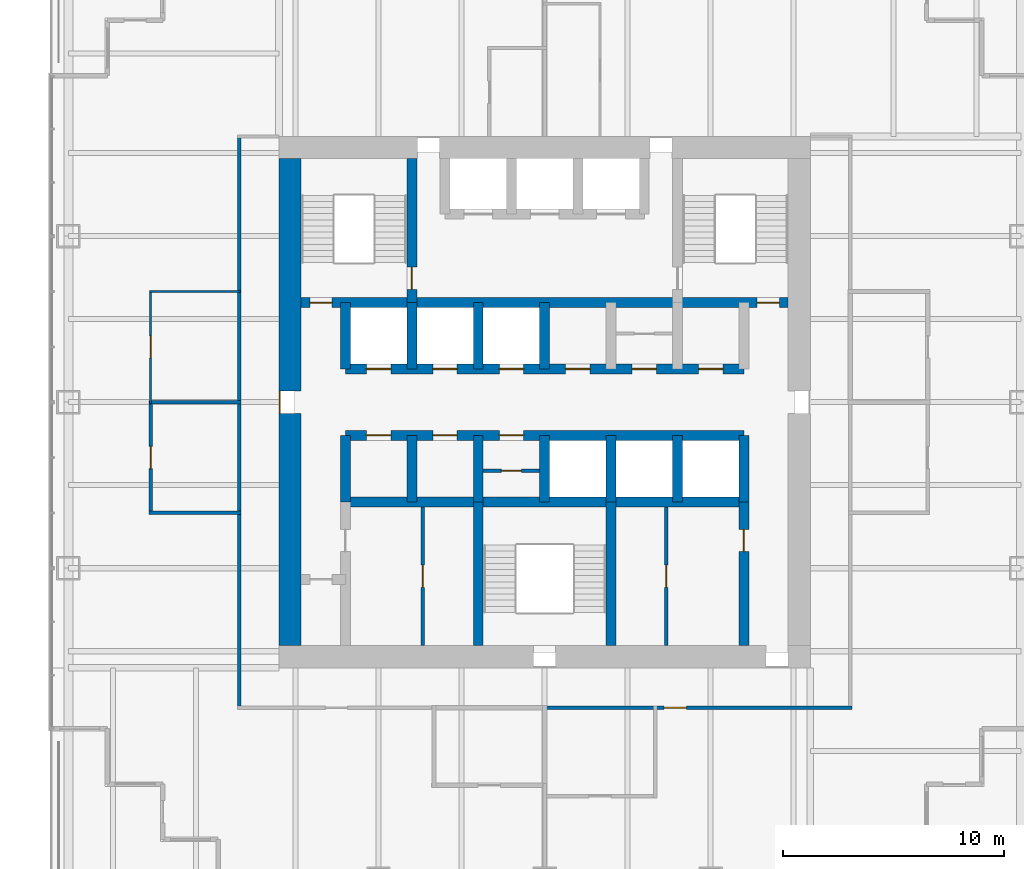
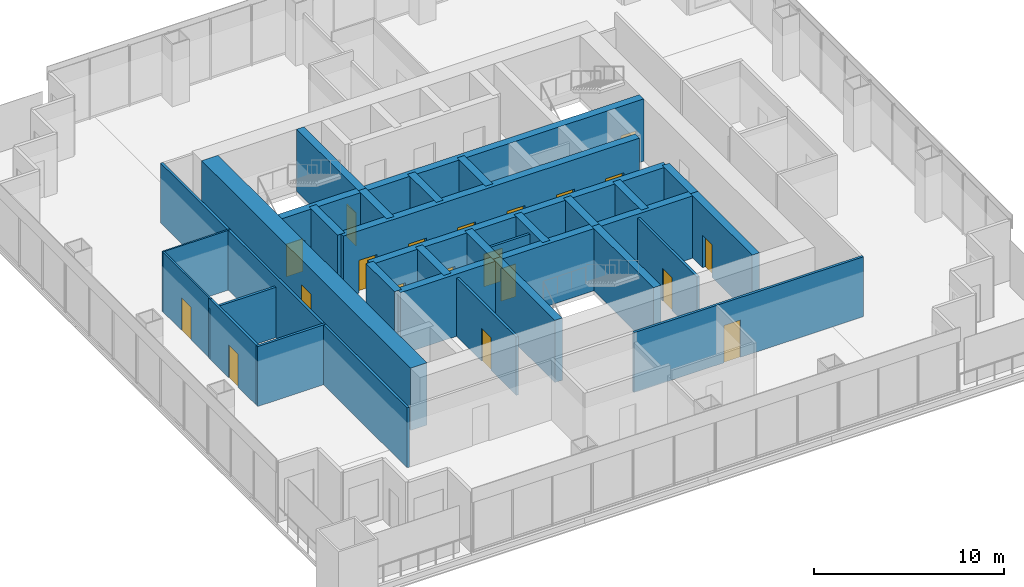
# One storey, part 9 of 13: 30 walls, 20 doors, 20 openings.
"""IFC4 building model written with IfcOpenShell, lengths in metres."""

from ifc_helpers import new_model, si_unit, direction, frame, frame_2d, origin, place, context, subcontext, project, spatial, rectangle, extrude, material, layer, layer_set, type_object, element, fill, save


model = new_model("IFC4")

# Units and contexts
model_context = context("Model", 3, precision=1e-05, world=origin(), true_north=direction((0.0, 1.0)))
body_context = subcontext(model_context, "Body", "Model", "MODEL_VIEW")
ifc_project = project(units=[si_unit("LENGTHUNIT", "METRE"), si_unit("AREAUNIT", "SQUARE_METRE"), si_unit("VOLUMEUNIT", "CUBIC_METRE"), si_unit("PLANEANGLEUNIT", "RADIAN"), si_unit("MASSUNIT", "GRAM", prefix="KILO")], contexts=[model_context])

# Site, building, storey
site_placement = place(None, origin())
site = spatial("IfcSite", under=ifc_project, at=site_placement, CompositionType="ELEMENT")
building_placement = place(site_placement, origin())
building = spatial("IfcBuilding", under=site, at=building_placement, Name="Tarangal Relay Tower", CompositionType="ELEMENT")
storey_placement = place(building_placement, frame((0.0, 0.0, 217.89990234375)))
storey = spatial("IfcBuildingStorey", under=building, at=storey_placement, Name="L46", CompositionType="ELEMENT", Elevation=217.89990234375)

# Wall, openings, doors
ifc_material_1 = material(Name="Concrete fc' 60 MPa", Category="concrete")
ifc_layer_1 = layer(ifc_material_1, 0.449951171875)
ifc_layer_set_1 = layer_set([ifc_layer_1], Name="Core inner wall 450")
wall_type_1 = type_object("IfcWallType", Name="Core inner wall 450", PredefinedType="SHEAR", material=ifc_layer_set_1)
wall_1_placement = place(storey_placement, frame((-11.0, 4.5, 0.0), z_axis=(0.0, 0.0, 1.0), x_axis=(1.0, 0.0, 0.0)))
wall_1 = element("IfcWall", 1, at=wall_1_placement, inside=storey, type_object=wall_type_1, Name="Core wall Y45 L46", PredefinedType="SHEAR", context=body_context, shape_type="SweptSolid", body=[
    extrude(rectangle(XDim=22.0, YDim=0.449951171875, at=frame_2d((11.0, 0.0))), origin(), (0.0, 0.0, 1.0), 4.0),
])
opening_1_placement = place(wall_1_placement, frame((0.39990234375, 0.0, 0.0)))
opening_1 = element("IfcOpeningElement", 2, at=opening_1_placement, cuts=wall_1, Name="Opening FD1", PredefinedType="OPENING", context=body_context, shape_type="SweptSolid", body=[
    extrude(rectangle(XDim=1.0, YDim=2.10009765625, at=frame_2d((0.5, 1.050048828125))), frame((0.0, 0.23486328125, 0.0), z_axis=(0.0, -1.0, 0.0), x_axis=(1.0, 0.0, 0.0)), (0.0, 0.0, 1.0), 0.469970703125),
])
opening_2_placement = place(wall_1_placement, frame((20.60009765625, 0.0, 0.0)))
opening_2 = element("IfcOpeningElement", 3, at=opening_2_placement, cuts=wall_1, Name="Opening FD1", PredefinedType="OPENING", context=body_context, shape_type="SweptSolid", body=[
    extrude(rectangle(XDim=1.0, YDim=2.10009765625, at=frame_2d((0.5, 1.050048828125))), frame((0.0, 0.23486328125, 0.0), z_axis=(0.0, -1.0, 0.0), x_axis=(1.0, 0.0, 0.0)), (0.0, 0.0, 1.0), 0.469970703125),
])
ifc_material_2 = material(Name="Steel door with hardwood frame", Category="steel")
door_type_1 = type_object("IfcDoorType", Name="Fire door 1000 x 2100", OperationType="SINGLE_SWING_LEFT", PredefinedType="DOOR", material=ifc_material_2)
door_1_placement = place(opening_1_placement, origin())
door_1 = element("IfcDoor", 4, at=door_1_placement, inside=storey, type_object=door_type_1, Name="Stair ST-A door from corridor L46", OperationType="SINGLE_SWING_LEFT", OverallHeight=2.10009765625, OverallWidth=1.0, PredefinedType="DOOR", context=body_context, shape_type="SweptSolid", body=[
    extrude(rectangle(XDim=1.0, YDim=2.10009765625, at=frame_2d((0.5, 1.050048828125))), frame((0.0, 0.02490234375, 0.0), z_axis=(0.0, -1.0, 0.0), x_axis=(1.0, 0.0, 0.0)), (0.0, 0.0, 1.0), 0.050048828125),
])
fill(opening_1, door_1)
door_2_placement = place(opening_2_placement, origin())
door_2 = element("IfcDoor", 5, at=door_2_placement, inside=storey, type_object=door_type_1, Name="Stair ST-B door from corridor L46", OperationType="SINGLE_SWING_LEFT", OverallHeight=2.10009765625, OverallWidth=1.0, PredefinedType="DOOR", context=body_context, shape_type="SweptSolid", body=[
    extrude(rectangle(XDim=1.0, YDim=2.10009765625, at=frame_2d((0.5, 1.050048828125))), frame((0.0, 0.02490234375, 0.0), z_axis=(0.0, -1.0, 0.0), x_axis=(1.0, 0.0, 0.0)), (0.0, 0.0, 1.0), 0.050048828125),
])
fill(opening_2, door_2)

wall_2_placement = place(storey_placement, frame((-9.0, 1.5, 0.0), z_axis=(0.0, 0.0, 1.0), x_axis=(1.0, 0.0, 0.0)))
wall_2 = element("IfcWall", 6, at=wall_2_placement, inside=storey, type_object=wall_type_1, Name="Core wall Y15 L46", PredefinedType="SHEAR", context=body_context, shape_type="SweptSolid", body=[
    extrude(rectangle(XDim=18.0, YDim=0.449951171875, at=frame_2d((9.0, 0.0))), origin(), (0.0, 0.0, 1.0), 4.0),
])
opening_3_placement = place(wall_2_placement, frame((0.949951171875, 0.0, 0.0)))
opening_3 = element("IfcOpeningElement", 7, at=opening_3_placement, cuts=wall_2, Name="Opening LD1", PredefinedType="OPENING", context=body_context, shape_type="SweptSolid", body=[
    extrude(rectangle(XDim=1.10009765625, YDim=2.10009765625, at=frame_2d((0.550048828125, 1.050048828125))), frame((0.0, 0.23486328125, 0.0), z_axis=(0.0, -1.0, 0.0), x_axis=(1.0, 0.0, 0.0)), (0.0, 0.0, 1.0), 0.469970703125),
])
opening_4_placement = place(wall_2_placement, frame((3.949951171875, 0.0, 0.0)))
opening_4 = element("IfcOpeningElement", 8, at=opening_4_placement, cuts=wall_2, Name="Opening LD1", PredefinedType="OPENING", context=body_context, shape_type="SweptSolid", body=[
    extrude(rectangle(XDim=1.10009765625, YDim=2.10009765625, at=frame_2d((0.550048828125, 1.050048828125))), frame((0.0, 0.23486328125, 0.0), z_axis=(0.0, -1.0, 0.0), x_axis=(1.0, 0.0, 0.0)), (0.0, 0.0, 1.0), 0.469970703125),
])
opening_5_placement = place(wall_2_placement, frame((6.949951171875, 0.0, 0.0)))
opening_5 = element("IfcOpeningElement", 9, at=opening_5_placement, cuts=wall_2, Name="Opening LD1", PredefinedType="OPENING", context=body_context, shape_type="SweptSolid", body=[
    extrude(rectangle(XDim=1.10009765625, YDim=2.10009765625, at=frame_2d((0.550048828125, 1.050048828125))), frame((0.0, 0.23486328125, 0.0), z_axis=(0.0, -1.0, 0.0), x_axis=(1.0, 0.0, 0.0)), (0.0, 0.0, 1.0), 0.469970703125),
])
opening_6_placement = place(wall_2_placement, frame((9.949951171875, 0.0, 0.0)))
opening_6 = element("IfcOpeningElement", 10, at=opening_6_placement, cuts=wall_2, Name="Opening D4", PredefinedType="OPENING", context=body_context, shape_type="SweptSolid", body=[
    extrude(rectangle(XDim=1.10009765625, YDim=2.10009765625, at=frame_2d((0.550048828125, 1.050048828125))), frame((0.0, 0.23486328125, 0.0), z_axis=(0.0, -1.0, 0.0), x_axis=(1.0, 0.0, 0.0)), (0.0, 0.0, 1.0), 0.469970703125),
])
opening_7_placement = place(wall_2_placement, frame((12.949951171875, 0.0, 0.0)))
opening_7 = element("IfcOpeningElement", 11, at=opening_7_placement, cuts=wall_2, Name="Opening D4", PredefinedType="OPENING", context=body_context, shape_type="SweptSolid", body=[
    extrude(rectangle(XDim=1.10009765625, YDim=2.10009765625, at=frame_2d((0.550048828125, 1.050048828125))), frame((0.0, 0.23486328125, 0.0), z_axis=(0.0, -1.0, 0.0), x_axis=(1.0, 0.0, 0.0)), (0.0, 0.0, 1.0), 0.469970703125),
])
opening_8_placement = place(wall_2_placement, frame((15.949951171875, 0.0, 0.0)))
opening_8 = element("IfcOpeningElement", 12, at=opening_8_placement, cuts=wall_2, Name="Opening D4", PredefinedType="OPENING", context=body_context, shape_type="SweptSolid", body=[
    extrude(rectangle(XDim=1.10009765625, YDim=2.10009765625, at=frame_2d((0.550048828125, 1.050048828125))), frame((0.0, 0.23486328125, 0.0), z_axis=(0.0, -1.0, 0.0), x_axis=(1.0, 0.0, 0.0)), (0.0, 0.0, 1.0), 0.469970703125),
])
door_type_2 = type_object("IfcDoorType", Name="Core room door 1100 x 2100", OperationType="SINGLE_SWING_RIGHT", PredefinedType="DOOR", material=ifc_material_2)
door_3_placement = place(opening_6_placement, origin())
door_3 = element("IfcDoor", 13, at=door_3_placement, inside=storey, type_object=door_type_2, Name="Door D4 to staff wc L46-T1", OperationType="SINGLE_SWING_RIGHT", OverallHeight=2.10009765625, OverallWidth=1.10009765625, PredefinedType="DOOR", context=body_context, shape_type="SweptSolid", body=[
    extrude(rectangle(XDim=1.10009765625, YDim=2.10009765625, at=frame_2d((0.550048828125, 1.050048828125))), frame((0.0, 0.02490234375, 0.0), z_axis=(0.0, -1.0, 0.0), x_axis=(1.0, 0.0, 0.0)), (0.0, 0.0, 1.0), 0.050048828125),
])
fill(opening_6, door_3)
door_4_placement = place(opening_7_placement, origin())
door_4 = element("IfcDoor", 14, at=door_4_placement, inside=storey, type_object=door_type_2, Name="Door D4 to staff pantry L46-T2", OperationType="SINGLE_SWING_RIGHT", OverallHeight=2.10009765625, OverallWidth=1.10009765625, PredefinedType="DOOR", context=body_context, shape_type="SweptSolid", body=[
    extrude(rectangle(XDim=1.10009765625, YDim=2.10009765625, at=frame_2d((0.550048828125, 1.050048828125))), frame((0.0, 0.02490234375, 0.0), z_axis=(0.0, -1.0, 0.0), x_axis=(1.0, 0.0, 0.0)), (0.0, 0.0, 1.0), 0.050048828125),
])
fill(opening_7, door_4)
door_5_placement = place(opening_8_placement, origin())
door_5 = element("IfcDoor", 15, at=door_5_placement, inside=storey, type_object=door_type_2, Name="Door D4 to it room L46-T3", OperationType="SINGLE_SWING_RIGHT", OverallHeight=2.10009765625, OverallWidth=1.10009765625, PredefinedType="DOOR", context=body_context, shape_type="SweptSolid", body=[
    extrude(rectangle(XDim=1.10009765625, YDim=2.10009765625, at=frame_2d((0.550048828125, 1.050048828125))), frame((0.0, 0.02490234375, 0.0), z_axis=(0.0, -1.0, 0.0), x_axis=(1.0, 0.0, 0.0)), (0.0, 0.0, 1.0), 0.050048828125),
])
fill(opening_8, door_5)
door_type_3 = type_object("IfcDoorType", Name="Lift landing door 1100 x 2100", OperationType="SLIDING_TO_LEFT", PredefinedType="DOOR", material=ifc_material_2)
door_6_placement = place(opening_3_placement, origin())
door_6 = element("IfcDoor", 16, at=door_6_placement, inside=storey, type_object=door_type_3, Name="Lift OL1 landing door L46", OperationType="SLIDING_TO_LEFT", OverallHeight=2.10009765625, OverallWidth=1.10009765625, PredefinedType="DOOR", context=body_context, shape_type="SweptSolid", body=[
    extrude(rectangle(XDim=1.10009765625, YDim=2.10009765625, at=frame_2d((0.550048828125, 1.050048828125))), frame((0.0, 0.02490234375, 0.0), z_axis=(0.0, -1.0, 0.0), x_axis=(1.0, 0.0, 0.0)), (0.0, 0.0, 1.0), 0.050048828125),
])
fill(opening_3, door_6)
door_7_placement = place(opening_4_placement, origin())
door_7 = element("IfcDoor", 17, at=door_7_placement, inside=storey, type_object=door_type_3, Name="Lift OL2 landing door L46", OperationType="SLIDING_TO_LEFT", OverallHeight=2.10009765625, OverallWidth=1.10009765625, PredefinedType="DOOR", context=body_context, shape_type="SweptSolid", body=[
    extrude(rectangle(XDim=1.10009765625, YDim=2.10009765625, at=frame_2d((0.550048828125, 1.050048828125))), frame((0.0, 0.02490234375, 0.0), z_axis=(0.0, -1.0, 0.0), x_axis=(1.0, 0.0, 0.0)), (0.0, 0.0, 1.0), 0.050048828125),
])
fill(opening_4, door_7)
door_8_placement = place(opening_5_placement, origin())
door_8 = element("IfcDoor", 18, at=door_8_placement, inside=storey, type_object=door_type_3, Name="Lift OL3 landing door L46", OperationType="SLIDING_TO_LEFT", OverallHeight=2.10009765625, OverallWidth=1.10009765625, PredefinedType="DOOR", context=body_context, shape_type="SweptSolid", body=[
    extrude(rectangle(XDim=1.10009765625, YDim=2.10009765625, at=frame_2d((0.550048828125, 1.050048828125))), frame((0.0, 0.02490234375, 0.0), z_axis=(0.0, -1.0, 0.0), x_axis=(1.0, 0.0, 0.0)), (0.0, 0.0, 1.0), 0.050048828125),
])
fill(opening_5, door_8)

wall_3_placement = place(storey_placement, frame((-9.0, -1.5, 0.0), z_axis=(0.0, 0.0, 1.0), x_axis=(1.0, 0.0, 0.0)))
wall_3 = element("IfcWall", 19, at=wall_3_placement, inside=storey, type_object=wall_type_1, Name="Core wall YM15 L46", PredefinedType="SHEAR", context=body_context, shape_type="SweptSolid", body=[
    extrude(rectangle(XDim=18.0, YDim=0.449951171875, at=frame_2d((9.0, 0.0))), origin(), (0.0, 0.0, 1.0), 4.0),
])
opening_9_placement = place(wall_3_placement, frame((0.949951171875, 0.0, 0.0)))
opening_9 = element("IfcOpeningElement", 20, at=opening_9_placement, cuts=wall_3, Name="Opening D4", PredefinedType="OPENING", context=body_context, shape_type="SweptSolid", body=[
    extrude(rectangle(XDim=1.10009765625, YDim=2.10009765625, at=frame_2d((0.550048828125, 1.050048828125))), frame((0.0, 0.23486328125, 0.0), z_axis=(0.0, -1.0, 0.0), x_axis=(1.0, 0.0, 0.0)), (0.0, 0.0, 1.0), 0.469970703125),
])
opening_10_placement = place(wall_3_placement, frame((3.949951171875, 0.0, 0.0)))
opening_10 = element("IfcOpeningElement", 21, at=opening_10_placement, cuts=wall_3, Name="Opening D4", PredefinedType="OPENING", context=body_context, shape_type="SweptSolid", body=[
    extrude(rectangle(XDim=1.10009765625, YDim=2.10009765625, at=frame_2d((0.550048828125, 1.050048828125))), frame((0.0, 0.23486328125, 0.0), z_axis=(0.0, -1.0, 0.0), x_axis=(1.0, 0.0, 0.0)), (0.0, 0.0, 1.0), 0.469970703125),
])
opening_11_placement = place(wall_3_placement, frame((6.949951171875, 0.0, 0.0)))
opening_11 = element("IfcOpeningElement", 22, at=opening_11_placement, cuts=wall_3, Name="Opening D4", PredefinedType="OPENING", context=body_context, shape_type="SweptSolid", body=[
    extrude(rectangle(XDim=1.10009765625, YDim=2.10009765625, at=frame_2d((0.550048828125, 1.050048828125))), frame((0.0, 0.23486328125, 0.0), z_axis=(0.0, -1.0, 0.0), x_axis=(1.0, 0.0, 0.0)), (0.0, 0.0, 1.0), 0.469970703125),
])
door_9_placement = place(opening_9_placement, origin())
door_9 = element("IfcDoor", 23, at=door_9_placement, inside=storey, type_object=door_type_2, Name="Door D4 to cleaner's store L46-S1", OperationType="SINGLE_SWING_RIGHT", OverallHeight=2.10009765625, OverallWidth=1.10009765625, PredefinedType="DOOR", context=body_context, shape_type="SweptSolid", body=[
    extrude(rectangle(XDim=1.10009765625, YDim=2.10009765625, at=frame_2d((0.550048828125, 1.050048828125))), frame((0.0, 0.02490234375, 0.0), z_axis=(0.0, -1.0, 0.0), x_axis=(1.0, 0.0, 0.0)), (0.0, 0.0, 1.0), 0.050048828125),
])
fill(opening_9, door_9)
door_10_placement = place(opening_10_placement, origin())
door_10 = element("IfcDoor", 24, at=door_10_placement, inside=storey, type_object=door_type_2, Name="Door D4 to staff wc L46-S2", OperationType="SINGLE_SWING_RIGHT", OverallHeight=2.10009765625, OverallWidth=1.10009765625, PredefinedType="DOOR", context=body_context, shape_type="SweptSolid", body=[
    extrude(rectangle(XDim=1.10009765625, YDim=2.10009765625, at=frame_2d((0.550048828125, 1.050048828125))), frame((0.0, 0.02490234375, 0.0), z_axis=(0.0, -1.0, 0.0), x_axis=(1.0, 0.0, 0.0)), (0.0, 0.0, 1.0), 0.050048828125),
])
fill(opening_10, door_10)
door_11_placement = place(opening_11_placement, origin())
door_11 = element("IfcDoor", 25, at=door_11_placement, inside=storey, type_object=door_type_2, Name="Door D4 to staff pantry L46-S3", OperationType="SINGLE_SWING_RIGHT", OverallHeight=2.10009765625, OverallWidth=1.10009765625, PredefinedType="DOOR", context=body_context, shape_type="SweptSolid", body=[
    extrude(rectangle(XDim=1.10009765625, YDim=2.10009765625, at=frame_2d((0.550048828125, 1.050048828125))), frame((0.0, 0.02490234375, 0.0), z_axis=(0.0, -1.0, 0.0), x_axis=(1.0, 0.0, 0.0)), (0.0, 0.0, 1.0), 0.050048828125),
])
fill(opening_11, door_11)

# Walls
wall_4_placement = place(storey_placement, frame((-9.0, -4.5, 0.0), z_axis=(0.0, 0.0, 1.0), x_axis=(1.0, 0.0, 0.0)))
element("IfcWall", 26, at=wall_4_placement, inside=storey, type_object=wall_type_1, Name="Core wall YM45 L46", PredefinedType="SHEAR", context=body_context, shape_type="SweptSolid", body=[
    extrude(rectangle(XDim=18.0, YDim=0.449951171875, at=frame_2d((9.0, 0.0))), origin(), (0.0, 0.0, 1.0), 4.0),
])
for number, where, z_axis, x_axis, name in (
    (27, (-9.0, 1.5, 0.0), (0.0, 0.0, 1.0), (0.0, 1.0, 0.0), "Core wall XM9N L46"),
    (28, (-9.0, -4.5, 0.0), (0.0, 0.0, 1.0), (0.0, 1.0, 0.0), "Core wall XM9S L46"),
    (29, (9.0, -4.5, 0.0), (0.0, 0.0, 1.0), (0.0, 1.0, 0.0), "Core wall X9S L46"),
    (30, (-6.0, 1.5, 0.0), (0.0, 0.0, 1.0), (0.0, 1.0, 0.0), "Core wall XM6N L46"),
    (31, (-3.0, 1.5, 0.0), (0.0, 0.0, 1.0), (0.0, 1.0, 0.0), "Core wall XM3N L46"),
    (32, (0.0, 1.5, 0.0), (0.0, 0.0, 1.0), (0.0, 1.0, 0.0), "Core wall X0N L46"),
    (33, (-6.0, -4.5, 0.0), (0.0, 0.0, 1.0), (0.0, 1.0, 0.0), "Core wall XM6S L46"),
    (34, (-3.0, -4.5, 0.0), (0.0, 0.0, 1.0), (0.0, 1.0, 0.0), "Core wall XM3S L46"),
    (35, (0.0, -4.5, 0.0), (0.0, 0.0, 1.0), (0.0, 1.0, 0.0), "Core wall X0S L46"),
    (36, (3.0, -4.5, 0.0), (0.0, 0.0, 1.0), (0.0, 1.0, 0.0), "Core wall X3S L46"),
    (37, (6.0, -4.5, 0.0), (0.0, 0.0, 1.0), (0.0, 1.0, 0.0), "Core wall X6S L46"),
):
    element("IfcWall", number, at=place(storey_placement, frame(where, z_axis=z_axis, x_axis=x_axis)), inside=storey, type_object=wall_type_1, Name=name, PredefinedType="SHEAR", context=body_context, shape_type="SweptSolid", body=[
        extrude(rectangle(XDim=3.0, YDim=0.449951171875, at=frame_2d((1.5, 0.0))), origin(), (0.0, 0.0, 1.0), 4.0),
    ])

# Wall, opening, door
wall_5_placement = place(storey_placement, frame((-6.0, 4.5, 0.0), z_axis=(0.0, 0.0, 1.0), x_axis=(0.0, 1.0, 0.0)))
wall_5 = element("IfcWall", 38, at=wall_5_placement, inside=storey, type_object=wall_type_1, Name="Core wall XM6 L46", PredefinedType="SHEAR", context=body_context, shape_type="SweptSolid", body=[
    extrude(rectangle(XDim=6.5, YDim=0.449951171875, at=frame_2d((3.25, 0.0))), origin(), (0.0, 0.0, 1.0), 4.0),
])
opening_12_placement = place(wall_5_placement, frame((0.60009765625, 0.0, 0.0)))
opening_12 = element("IfcOpeningElement", 39, at=opening_12_placement, cuts=wall_5, Name="Opening FD1", PredefinedType="OPENING", context=body_context, shape_type="SweptSolid", body=[
    extrude(rectangle(XDim=1.0, YDim=2.10009765625, at=frame_2d((0.5, 1.050048828125))), frame((0.0, 0.23486328125, 0.0), z_axis=(0.0, -1.0, 0.0), x_axis=(1.0, 0.0, 0.0)), (0.0, 0.0, 1.0), 0.469970703125),
])
door_12_placement = place(opening_12_placement, origin())
door_12 = element("IfcDoor", 40, at=door_12_placement, inside=storey, type_object=door_type_1, Name="Stair ST-A door from fire-fighting lobby L46", OperationType="SINGLE_SWING_LEFT", OverallHeight=2.10009765625, OverallWidth=1.0, PredefinedType="DOOR", context=body_context, shape_type="SweptSolid", body=[
    extrude(rectangle(XDim=1.0, YDim=2.10009765625, at=frame_2d((0.5, 1.050048828125))), frame((0.0, 0.02490234375, 0.0), z_axis=(0.0, -1.0, 0.0), x_axis=(1.0, 0.0, 0.0)), (0.0, 0.0, 1.0), 0.050048828125),
])
fill(opening_12, door_12)

wall_6_placement = place(storey_placement, frame((9.0, -11.0, 0.0), z_axis=(0.0, 0.0, 1.0), x_axis=(0.0, 1.0, 0.0)))
wall_6 = element("IfcWall", 41, at=wall_6_placement, inside=storey, type_object=wall_type_1, Name="Core wall X9W L46", PredefinedType="SHEAR", context=body_context, shape_type="SweptSolid", body=[
    extrude(rectangle(XDim=6.5, YDim=0.449951171875, at=frame_2d((3.25, 0.0))), origin(), (0.0, 0.0, 1.0), 4.0),
])
opening_13_placement = place(wall_6_placement, frame((4.25, 0.0, 0.0)))
opening_13 = element("IfcOpeningElement", 42, at=opening_13_placement, cuts=wall_6, Name="Opening D1", PredefinedType="OPENING", context=body_context, shape_type="SweptSolid", body=[
    extrude(rectangle(XDim=1.0, YDim=2.10009765625, at=frame_2d((0.5, 1.050048828125))), frame((0.0, 0.23486328125, 0.0), z_axis=(0.0, -1.0, 0.0), x_axis=(1.0, 0.0, 0.0)), (0.0, 0.0, 1.0), 0.469970703125),
])
ifc_material_3 = material(Name="Hardwood door", Category="wood")
door_type_4 = type_object("IfcDoorType", Name="WC door 1000 x 2100", OperationType="SINGLE_SWING_LEFT", PredefinedType="DOOR", material=ifc_material_3)
door_13_placement = place(opening_13_placement, origin())
door_13 = element("IfcDoor", 43, at=door_13_placement, inside=storey, type_object=door_type_4, Name="Female WC door L46", OperationType="SINGLE_SWING_LEFT", OverallHeight=2.10009765625, OverallWidth=1.0, PredefinedType="DOOR", context=body_context, shape_type="SweptSolid", body=[
    extrude(rectangle(XDim=1.0, YDim=2.10009765625, at=frame_2d((0.5, 1.050048828125))), frame((0.0, 0.02490234375, 0.0), z_axis=(0.0, -1.0, 0.0), x_axis=(1.0, 0.0, 0.0)), (0.0, 0.0, 1.0), 0.050048828125),
])
fill(opening_13, door_13)

# Walls
for number, where, z_axis, x_axis, name in (
    (44, (-3.0, -11.0, 0.0), (0.0, 0.0, 1.0), (0.0, 1.0, 0.0), "Core wall XM3W L46"),
    (45, (3.0, -11.0, 0.0), (0.0, 0.0, 1.0), (0.0, 1.0, 0.0), "Core wall X3W L46"),
):
    element("IfcWall", number, at=place(storey_placement, frame(where, z_axis=z_axis, x_axis=x_axis)), inside=storey, type_object=wall_type_1, Name=name, PredefinedType="SHEAR", context=body_context, shape_type="SweptSolid", body=[
        extrude(rectangle(XDim=6.5, YDim=0.449951171875, at=frame_2d((3.25, 0.0))), origin(), (0.0, 0.0, 1.0), 4.0),
    ])

# Wall, opening, door
ifc_layer_2 = layer(ifc_material_1, 1.0)
ifc_layer_set_2 = layer_set([ifc_layer_2], Name="Core wall 1000")
wall_type_2 = type_object("IfcWallType", Name="Core wall 1000", PredefinedType="SHEAR", material=ifc_layer_set_2)
wall_7_placement = place(storey_placement, frame((-11.5, -11.0, 0.0), z_axis=(0.0, 0.0, 1.0), x_axis=(0.0, 1.0, 0.0)))
wall_7 = element("IfcWall", 46, at=wall_7_placement, inside=storey, type_object=wall_type_2, Name="Core wall W L46", PredefinedType="SHEAR", context=body_context, shape_type="SweptSolid", body=[
    extrude(rectangle(XDim=22.0, YDim=1.0, at=frame_2d((11.0, 0.0))), origin(), (0.0, 0.0, 1.0), 4.0),
])
opening_14_placement = place(wall_7_placement, frame((10.5, 0.0, 0.0)))
opening_14 = element("IfcOpeningElement", 47, at=opening_14_placement, cuts=wall_7, Name="Opening FD3", PredefinedType="OPENING", context=body_context, shape_type="SweptSolid", body=[
    extrude(rectangle(XDim=1.0, YDim=2.39990234375, at=frame_2d((0.5, 1.199951171875))), frame((0.0, 0.510009765625, 0.0), z_axis=(0.0, -1.0, 0.0), x_axis=(1.0, 0.0, 0.0)), (0.0, 0.0, 1.0), 1.02001953125),
])
door_type_5 = type_object("IfcDoorType", Name="Fire door 1000 x 2400 core entry", OperationType="SINGLE_SWING_RIGHT", PredefinedType="DOOR", material=ifc_material_2)
door_14_placement = place(opening_14_placement, origin())
door_14 = element("IfcDoor", 48, at=door_14_placement, inside=storey, type_object=door_type_5, Name="Core entry door west L46", OperationType="SINGLE_SWING_RIGHT", OverallHeight=2.39990234375, OverallWidth=1.0, PredefinedType="DOOR", context=body_context, shape_type="SweptSolid", body=[
    extrude(rectangle(XDim=1.0, YDim=2.39990234375, at=frame_2d((0.5, 1.199951171875))), frame((0.0, 0.48486328125, 0.0), z_axis=(0.0, -1.0, 0.0), x_axis=(1.0, 0.0, 0.0)), (0.0, 0.0, 1.0), 0.050048828125),
])
fill(opening_14, door_14)

# Wall
ifc_material_4 = material(Name="Double glazed aluminium framed partition", Category="aluminium")
ifc_layer_3 = layer(ifc_material_4, 0.10009765625)
ifc_layer_set_3 = layer_set([ifc_layer_3], Name="Glazed partition 100")
wall_type_3 = type_object("IfcWallType", Name="Glazed partition 100", PredefinedType="PARTITIONING", material=ifc_layer_set_3)
wall_8_placement = place(storey_placement, frame((-17.85009765625, 5.0, 0.0), z_axis=(0.0, 0.0, 1.0), x_axis=(1.0, 0.0, 0.0)))
element("IfcWall", 49, at=wall_8_placement, inside=storey, type_object=wall_type_3, Name="Partition PT3 L46", PredefinedType="PARTITIONING", context=body_context, shape_type="SweptSolid", body=[
    extrude(rectangle(XDim=4.10009765625, YDim=0.10009765625, at=frame_2d((2.050048828125, 0.0))), origin(), (0.0, 0.0, 1.0), 3.85009765625),
])

# Wall, opening, door
wall_9_placement = place(storey_placement, frame((-17.800048828125, -0.050048828125, 0.0), z_axis=(0.0, 0.0, 1.0), x_axis=(0.0, 1.0, 0.0)))
wall_9 = element("IfcWall", 50, at=wall_9_placement, inside=storey, type_object=wall_type_3, Name="Partition PT3 L46", PredefinedType="PARTITIONING", context=body_context, shape_type="SweptSolid", body=[
    extrude(rectangle(XDim=5.10009765625, YDim=0.10009765625, at=frame_2d((2.550048828125, 0.0))), origin(), (0.0, 0.0, 1.0), 3.85009765625),
])
opening_15_placement = place(wall_9_placement, frame((2.050048828125, 0.0, 0.0)))
opening_15 = element("IfcOpeningElement", 51, at=opening_15_placement, cuts=wall_9, Name="Opening D3", PredefinedType="OPENING", context=body_context, shape_type="SweptSolid", body=[
    extrude(rectangle(XDim=1.0, YDim=2.10009765625, at=frame_2d((0.5, 1.050048828125))), frame((0.0, 0.06005859375, 0.0), z_axis=(0.0, -1.0, 0.0), x_axis=(1.0, 0.0, 0.0)), (0.0, 0.0, 1.0), 0.1201171875),
])
ifc_material_5 = material(Name="Frameless glass door", Category="glass")
door_type_6 = type_object("IfcDoorType", Name="Glazed door 1000 x 2100", OperationType="SINGLE_SWING_LEFT", PredefinedType="DOOR", material=ifc_material_5)
door_15_placement = place(opening_15_placement, origin())
door_15 = element("IfcDoor", 52, at=door_15_placement, inside=storey, type_object=door_type_6, Name="Door D3 to meeting room L46-09", OperationType="SINGLE_SWING_LEFT", OverallHeight=2.10009765625, OverallWidth=1.0, PredefinedType="DOOR", context=body_context, shape_type="SweptSolid", body=[
    extrude(rectangle(XDim=1.0, YDim=2.10009765625, at=frame_2d((0.5, 1.050048828125))), frame((0.0, 0.02490234375, 0.0), z_axis=(0.0, -1.0, 0.0), x_axis=(1.0, 0.0, 0.0)), (0.0, 0.0, 1.0), 0.050048828125),
])
fill(opening_15, door_15)

ifc_material_6 = material(Name="Gypsum board on steel studs", Category="steel")
ifc_layer_4 = layer(ifc_material_6, 0.14990234375)
ifc_layer_set_4 = layer_set([ifc_layer_4], Name="Partition 150")
wall_type_4 = type_object("IfcWallType", Name="Partition 150", PredefinedType="PARTITIONING", material=ifc_layer_set_4)
wall_10_placement = place(storey_placement, frame((-0.074951171875, -13.800048828125, 0.0), z_axis=(0.0, 0.0, 1.0), x_axis=(1.0, 0.0, 0.0)))
wall_10 = element("IfcWall", 53, at=wall_10_placement, inside=storey, type_object=wall_type_4, Name="Partition PT1 L46", PredefinedType="PARTITIONING", context=body_context, shape_type="SweptSolid", body=[
    extrude(rectangle(XDim=13.949951171875, YDim=0.14990234375, at=frame_2d((6.97509765625, 0.0))), origin(), (0.0, 0.0, 1.0), 3.85009765625),
])
opening_16_placement = place(wall_10_placement, frame((5.47509765625, 0.0, 0.0)))
opening_16 = element("IfcOpeningElement", 54, at=opening_16_placement, cuts=wall_10, Name="Opening SD1", PredefinedType="OPENING", context=body_context, shape_type="SweptSolid", body=[
    extrude(rectangle(XDim=1.0, YDim=2.39990234375, at=frame_2d((0.5, 1.199951171875))), frame((0.0, 0.0849609375, 0.0), z_axis=(0.0, -1.0, 0.0), x_axis=(1.0, 0.0, 0.0)), (0.0, 0.0, 1.0), 0.169921875),
])
door_type_7 = type_object("IfcDoorType", Name="Suite entrance door 1000 x 2400", OperationType="SINGLE_SWING_RIGHT", PredefinedType="DOOR", material=ifc_material_2)
door_16_placement = place(opening_16_placement, origin())
door_16 = element("IfcDoor", 55, at=door_16_placement, inside=storey, type_object=door_type_7, Name="Door SD1 to open plan office L46-11", OperationType="SINGLE_SWING_RIGHT", OverallHeight=2.39990234375, OverallWidth=1.0, PredefinedType="DOOR", context=body_context, shape_type="SweptSolid", body=[
    extrude(rectangle(XDim=1.0, YDim=2.39990234375, at=frame_2d((0.5, 1.199951171875))), frame((0.0, 0.02490234375, 0.0), z_axis=(0.0, -1.0, 0.0), x_axis=(1.0, 0.0, 0.0)), (0.0, 0.0, 1.0), 0.050048828125),
])
fill(opening_16, door_16)

# Walls
wall_11_placement = place(storey_placement, frame((-17.875, -5.0, 0.0), z_axis=(0.0, 0.0, 1.0), x_axis=(1.0, 0.0, 0.0)))
element("IfcWall", 56, at=wall_11_placement, inside=storey, type_object=wall_type_4, Name="Partition PT1 L46", PredefinedType="PARTITIONING", context=body_context, shape_type="SweptSolid", body=[
    extrude(rectangle(XDim=4.14990234375, YDim=0.14990234375, at=frame_2d((2.074951171875, 0.0))), origin(), (0.0, 0.0, 1.0), 3.85009765625),
])
wall_12_placement = place(storey_placement, frame((-17.875, 0.0, 0.0), z_axis=(0.0, 0.0, 1.0), x_axis=(1.0, 0.0, 0.0)))
element("IfcWall", 57, at=wall_12_placement, inside=storey, type_object=wall_type_4, Name="Partition PT1 L46", PredefinedType="PARTITIONING", context=body_context, shape_type="SweptSolid", body=[
    extrude(rectangle(XDim=4.14990234375, YDim=0.14990234375, at=frame_2d((2.074951171875, 0.0))), origin(), (0.0, 0.0, 1.0), 3.238037109375),
])

# Wall, opening, door
wall_13_placement = place(storey_placement, frame((-17.800048828125, -5.074951171875, 0.0), z_axis=(0.0, 0.0, 1.0), x_axis=(0.0, 1.0, 0.0)))
wall_13 = element("IfcWall", 58, at=wall_13_placement, inside=storey, type_object=wall_type_4, Name="Partition PT1 L46", PredefinedType="PARTITIONING", context=body_context, shape_type="SweptSolid", body=[
    extrude(rectangle(XDim=5.14990234375, YDim=0.14990234375, at=frame_2d((2.574951171875, 0.0))), origin(), (0.0, 0.0, 1.0), 3.85009765625),
])
opening_17_placement = place(wall_13_placement, frame((2.074951171875, 0.0, 0.0)))
opening_17 = element("IfcOpeningElement", 59, at=opening_17_placement, cuts=wall_13, Name="Opening D2", PredefinedType="OPENING", context=body_context, shape_type="SweptSolid", body=[
    extrude(rectangle(XDim=1.0, YDim=2.10009765625, at=frame_2d((0.5, 1.050048828125))), frame((0.0, 0.0849609375, 0.0), z_axis=(0.0, -1.0, 0.0), x_axis=(1.0, 0.0, 0.0)), (0.0, 0.0, 1.0), 0.169921875),
])
door_type_8 = type_object("IfcDoorType", Name="Door 1000 x 2100", OperationType="SINGLE_SWING_LEFT", PredefinedType="DOOR", material=ifc_material_3)
door_17_placement = place(opening_17_placement, origin())
door_17 = element("IfcDoor", 60, at=door_17_placement, inside=storey, type_object=door_type_8, Name="Door D2 to print room L46-08", OperationType="SINGLE_SWING_LEFT", OverallHeight=2.10009765625, OverallWidth=1.0, PredefinedType="DOOR", context=body_context, shape_type="SweptSolid", body=[
    extrude(rectangle(XDim=1.0, YDim=2.10009765625, at=frame_2d((0.5, 1.050048828125))), frame((0.0, 0.02490234375, 0.0), z_axis=(0.0, -1.0, 0.0), x_axis=(1.0, 0.0, 0.0)), (0.0, 0.0, 1.0), 0.050048828125),
])
fill(opening_17, door_17)

# Wall
wall_14_placement = place(storey_placement, frame((-13.800048828125, -13.875, 0.0), z_axis=(0.0, 0.0, 1.0), x_axis=(0.0, 1.0, 0.0)))
element("IfcWall", 61, at=wall_14_placement, inside=storey, type_object=wall_type_4, Name="Partition PT1 L46", PredefinedType="PARTITIONING", context=body_context, shape_type="SweptSolid", body=[
    extrude(rectangle(XDim=25.949951171875, YDim=0.14990234375, at=frame_2d((12.97509765625, 0.0))), origin(), (0.0, 0.0, 1.0), 3.85009765625),
])

# Wall, opening, door
wall_15_placement = place(storey_placement, frame((-5.5, -11.0, 0.0), z_axis=(0.0, 0.0, 1.0), x_axis=(0.0, 1.0, 0.0)))
wall_15 = element("IfcWall", 62, at=wall_15_placement, inside=storey, type_object=wall_type_4, Name="Partition PT1 L46", PredefinedType="PARTITIONING", context=body_context, shape_type="SweptSolid", body=[
    extrude(rectangle(XDim=6.27490234375, YDim=0.14990234375, at=frame_2d((3.137451171875, 0.0))), origin(), (0.0, 0.0, 1.0), 3.75),
])
opening_18_placement = place(wall_15_placement, frame((2.637451171875, 0.0, 0.0)))
opening_18 = element("IfcOpeningElement", 63, at=opening_18_placement, cuts=wall_15, Name="Opening D1", PredefinedType="OPENING", context=body_context, shape_type="SweptSolid", body=[
    extrude(rectangle(XDim=1.0, YDim=2.10009765625, at=frame_2d((0.5, 1.050048828125))), frame((0.0, 0.0849609375, 0.0), z_axis=(0.0, -1.0, 0.0), x_axis=(1.0, 0.0, 0.0)), (0.0, 0.0, 1.0), 0.169921875),
])
door_18_placement = place(opening_18_placement, origin())
door_18 = element("IfcDoor", 64, at=door_18_placement, inside=storey, type_object=door_type_4, Name="Door D1 to male shower and changing room L46-C7B", OperationType="SINGLE_SWING_LEFT", OverallHeight=2.10009765625, OverallWidth=1.0, PredefinedType="DOOR", context=body_context, shape_type="SweptSolid", body=[
    extrude(rectangle(XDim=1.0, YDim=2.10009765625, at=frame_2d((0.5, 1.050048828125))), frame((0.0, 0.02490234375, 0.0), z_axis=(0.0, -1.0, 0.0), x_axis=(1.0, 0.0, 0.0)), (0.0, 0.0, 1.0), 0.050048828125),
])
fill(opening_18, door_18)

wall_16_placement = place(storey_placement, frame((5.5, -11.0, 0.0), z_axis=(0.0, 0.0, 1.0), x_axis=(0.0, 1.0, 0.0)))
wall_16 = element("IfcWall", 65, at=wall_16_placement, inside=storey, type_object=wall_type_4, Name="Partition PT1 L46", PredefinedType="PARTITIONING", context=body_context, shape_type="SweptSolid", body=[
    extrude(rectangle(XDim=6.27490234375, YDim=0.14990234375, at=frame_2d((3.137451171875, 0.0))), origin(), (0.0, 0.0, 1.0), 3.75),
])
opening_19_placement = place(wall_16_placement, frame((2.637451171875, 0.0, 0.0)))
opening_19 = element("IfcOpeningElement", 66, at=opening_19_placement, cuts=wall_16, Name="Opening D1", PredefinedType="OPENING", context=body_context, shape_type="SweptSolid", body=[
    extrude(rectangle(XDim=1.0, YDim=2.10009765625, at=frame_2d((0.5, 1.050048828125))), frame((0.0, 0.0849609375, 0.0), z_axis=(0.0, -1.0, 0.0), x_axis=(1.0, 0.0, 0.0)), (0.0, 0.0, 1.0), 0.169921875),
])
door_19_placement = place(opening_19_placement, origin())
door_19 = element("IfcDoor", 67, at=door_19_placement, inside=storey, type_object=door_type_4, Name="Door D1 to female shower and changing room L46-C10B", OperationType="SINGLE_SWING_LEFT", OverallHeight=2.10009765625, OverallWidth=1.0, PredefinedType="DOOR", context=body_context, shape_type="SweptSolid", body=[
    extrude(rectangle(XDim=1.0, YDim=2.10009765625, at=frame_2d((0.5, 1.050048828125))), frame((0.0, 0.02490234375, 0.0), z_axis=(0.0, -1.0, 0.0), x_axis=(1.0, 0.0, 0.0)), (0.0, 0.0, 1.0), 0.050048828125),
])
fill(opening_19, door_19)

wall_17_placement = place(storey_placement, frame((-2.77490234375, -3.10009765625, 0.0), z_axis=(0.0, 0.0, 1.0), x_axis=(1.0, 0.0, 0.0)))
wall_17 = element("IfcWall", 68, at=wall_17_placement, inside=storey, type_object=wall_type_4, Name="Partition PT1 L46", PredefinedType="PARTITIONING", context=body_context, shape_type="SweptSolid", body=[
    extrude(rectangle(XDim=2.5498046875, YDim=0.14990234375, at=frame_2d((1.27490234375, 0.0))), origin(), (0.0, 0.0, 1.0), 3.75),
])
opening_20_placement = place(wall_17_placement, frame((0.824951171875, 0.0, 0.0)))
opening_20 = element("IfcOpeningElement", 69, at=opening_20_placement, cuts=wall_17, Name="Opening D5", PredefinedType="OPENING", context=body_context, shape_type="SweptSolid", body=[
    extrude(rectangle(XDim=0.89990234375, YDim=2.10009765625, at=frame_2d((0.449951171875, 1.050048828125))), frame((0.0, 0.0849609375, 0.0), z_axis=(0.0, -1.0, 0.0), x_axis=(1.0, 0.0, 0.0)), (0.0, 0.0, 1.0), 0.169921875),
])
door_type_9 = type_object("IfcDoorType", Name="Cupboard door 900 x 2100", OperationType="SINGLE_SWING_LEFT", PredefinedType="DOOR", material=ifc_material_3)
door_20_placement = place(opening_20_placement, origin())
door_20 = element("IfcDoor", 70, at=door_20_placement, inside=storey, type_object=door_type_9, Name="Door D5 to pantry cupboard L46-S3B", OperationType="SINGLE_SWING_LEFT", OverallHeight=2.10009765625, OverallWidth=0.89990234375, PredefinedType="DOOR", context=body_context, shape_type="SweptSolid", body=[
    extrude(rectangle(XDim=0.89990234375, YDim=2.10009765625, at=frame_2d((0.449951171875, 1.050048828125))), frame((0.0, 0.02490234375, 0.0), z_axis=(0.0, -1.0, 0.0), x_axis=(1.0, 0.0, 0.0)), (0.0, 0.0, 1.0), 0.050048828125),
])
fill(opening_20, door_20)

save(model, "model.ifc")
